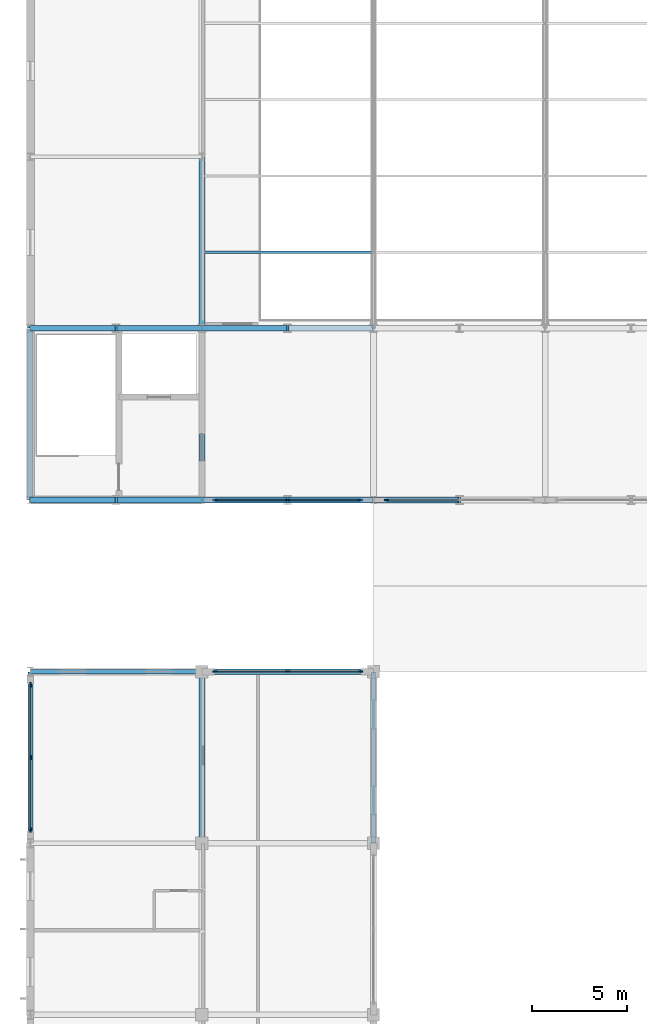
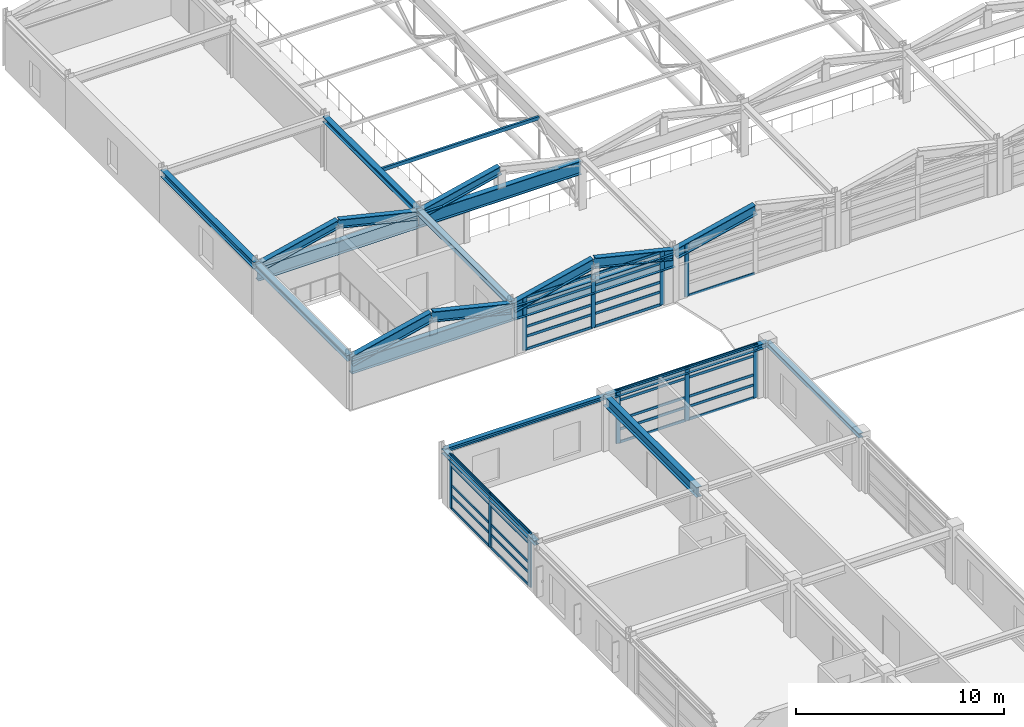
# One storey, part 23 of 91: 42 members, 21 beams, 4 elements without a shape of their own.
"""IFC4 building model written with IfcOpenShell, lengths in metres."""

from ifc_helpers import new_model, si_unit, direction, frame, origin, origin_2d, place, context, subcontext, project, spatial, rectangle, hollow_rectangle, i_section, extrude, material, material_profile, profile_set, type_object, element, aggregate, save


model = new_model("IFC4")

# Units and contexts
model_context = context("Model", 3, precision=1e-05, world=origin(), true_north=direction((0.0, 1.0)))
body_context = subcontext(model_context, "Body", "Model", "MODEL_VIEW")
ifc_project = project(units=[si_unit("LENGTHUNIT", "METRE"), si_unit("AREAUNIT", "SQUARE_METRE"), si_unit("VOLUMEUNIT", "CUBIC_METRE"), si_unit("PLANEANGLEUNIT", "RADIAN"), si_unit("MASSUNIT", "GRAM", prefix="KILO")], contexts=[model_context])

# Site, building, storey
site_placement = place(None, origin())
site = spatial("IfcSite", under=ifc_project, at=site_placement, CompositionType="ELEMENT")
building_placement = place(site_placement, origin())
building = spatial("IfcBuilding", under=site, at=building_placement, Name="Palais des Congres Ocreval", CompositionType="ELEMENT")
storey_placement = place(building_placement, frame((0.0, 0.0, 8.159912109375)))
storey = spatial("IfcBuildingStorey", under=building, at=storey_placement, Name="L02", CompositionType="ELEMENT", Elevation=8.159912109375)

# Curtain wall, members
ifc_material_1 = material(Name="Anodized bronze aluminium and low-E glass", Category="glass")
curtain_wall_type = type_object("IfcCurtainWallType", Name="Unitised Curtain Wall 7900x3120", PredefinedType="USERDEFINED", material=ifc_material_1)
curtain_wall_1_placement = place(storey_placement, origin())
curtain_wall_1 = element("IfcCurtainWall", 1, at=curtain_wall_1_placement, inside=storey, type_object=curtain_wall_type, Name="Unitised Curtain Wall CW03 L02", ObjectType="UNITISED CURTAIN WALL", PredefinedType="USERDEFINED")
ifc_material_2 = material(Name="Anodized bronze aluminium", Category="aluminium")
ifc_material_profile_1 = material_profile(ifc_material_2, rectangle(XDim=0.074951171875, YDim=0.239990234375, at=origin_2d()), Name="ALU 75x240")
ifc_profile_set_1 = profile_set([ifc_material_profile_1], Name="Anodized bronze aluminium")
member_type_1 = type_object("IfcMemberType", Name="Curtain Wall Mullion ALU 75x240", PredefinedType="MULLION", material=ifc_profile_set_1)
member_1_placement = place(storey_placement, frame((0.0, 63.6875, 0.0), z_axis=(0.0, 0.0, 1.0), x_axis=(-1.0, 0.0, 0.0)))
member_1 = element("IfcMember", 2, at=member_1_placement, type_object=member_type_1, Name="Curtain Wall Mullion ML01", PredefinedType="MULLION", context=body_context, shape_type="SweptSolid", body=[
    extrude(rectangle(XDim=0.074951171875, YDim=0.239990234375, at=origin_2d()), origin(), (0.0, 0.0, 1.0), 3.14013671875),
])
member_2_placement = place(storey_placement, frame((0.0, 67.5, 0.0), z_axis=(0.0, 0.0, 1.0), x_axis=(-1.0, 0.0, 0.0)))
member_2 = element("IfcMember", 3, at=member_2_placement, type_object=member_type_1, Name="Curtain Wall Mullion ML01", PredefinedType="MULLION", context=body_context, shape_type="SweptSolid", body=[
    extrude(rectangle(XDim=0.074951171875, YDim=0.239990234375, at=origin_2d()), origin(), (0.0, 0.0, 1.0), 3.14013671875),
])
member_3_placement = place(storey_placement, frame((0.0, 71.3125, 0.0), z_axis=(0.0, 0.0, 1.0), x_axis=(-1.0, 0.0, 0.0)))
member_3 = element("IfcMember", 4, at=member_3_placement, type_object=member_type_1, Name="Curtain Wall Mullion ML01", PredefinedType="MULLION", context=body_context, shape_type="SweptSolid", body=[
    extrude(rectangle(XDim=0.074951171875, YDim=0.239990234375, at=origin_2d()), origin(), (0.0, 0.0, 1.0), 3.14013671875),
])

curtain_wall_2_placement = place(storey_placement, origin())
curtain_wall_2 = element("IfcCurtainWall", 5, at=curtain_wall_2_placement, inside=storey, type_object=curtain_wall_type, Name="Unitised Curtain Wall CW03 L02", ObjectType="UNITISED CURTAIN WALL", PredefinedType="USERDEFINED")
member_4_placement = place(storey_placement, frame((9.6875, 72.0, 0.0), z_axis=(0.0, 0.0, 1.0), x_axis=(0.0, 1.0, 0.0)))
member_4 = element("IfcMember", 6, at=member_4_placement, type_object=member_type_1, Name="Curtain Wall Mullion ML01", PredefinedType="MULLION", context=body_context, shape_type="SweptSolid", body=[
    extrude(rectangle(XDim=0.074951171875, YDim=0.239990234375, at=origin_2d()), origin(), (0.0, 0.0, 1.0), 3.14013671875),
])
member_5_placement = place(storey_placement, frame((13.5, 72.0, 0.0), z_axis=(0.0, 0.0, 1.0), x_axis=(0.0, 1.0, 0.0)))
member_5 = element("IfcMember", 7, at=member_5_placement, type_object=member_type_1, Name="Curtain Wall Mullion ML01", PredefinedType="MULLION", context=body_context, shape_type="SweptSolid", body=[
    extrude(rectangle(XDim=0.074951171875, YDim=0.239990234375, at=origin_2d()), origin(), (0.0, 0.0, 1.0), 3.14013671875),
])
member_6_placement = place(storey_placement, frame((17.3125, 72.0, 0.0), z_axis=(0.0, 0.0, 1.0), x_axis=(0.0, 1.0, 0.0)))
member_6 = element("IfcMember", 8, at=member_6_placement, type_object=member_type_1, Name="Curtain Wall Mullion ML01", PredefinedType="MULLION", context=body_context, shape_type="SweptSolid", body=[
    extrude(rectangle(XDim=0.074951171875, YDim=0.239990234375, at=origin_2d()), origin(), (0.0, 0.0, 1.0), 3.14013671875),
])

# Curtain wall, member
curtain_wall_3_placement = place(storey_placement, origin())
curtain_wall_3 = element("IfcCurtainWall", 9, at=curtain_wall_3_placement, inside=storey, type_object=curtain_wall_type, Name="Unitised Curtain Wall CW03 L02", ObjectType="UNITISED CURTAIN WALL", PredefinedType="USERDEFINED")
member_7_placement = place(storey_placement, frame((18.6875, 81.0, 0.0), z_axis=(0.0, 0.0, 1.0), x_axis=(0.0, -1.0, 0.0)))
member_7 = element("IfcMember", 10, at=member_7_placement, type_object=member_type_1, Name="Curtain Wall Mullion ML01", PredefinedType="MULLION", context=body_context, shape_type="SweptSolid", body=[
    extrude(rectangle(XDim=0.074951171875, YDim=0.239990234375, at=origin_2d()), origin(), (0.0, 0.0, 1.0), 3.110107421875),
])

# Curtain wall, members
curtain_wall_4_placement = place(storey_placement, origin())
curtain_wall_4 = element("IfcCurtainWall", 11, at=curtain_wall_4_placement, inside=storey, type_object=curtain_wall_type, Name="Unitised Curtain Wall CW03 L02", ObjectType="UNITISED CURTAIN WALL", PredefinedType="USERDEFINED")
member_8_placement = place(storey_placement, frame((17.3125, 81.0, 0.0), z_axis=(0.0, 0.0, 1.0), x_axis=(0.0, -1.0, 0.0)))
member_8 = element("IfcMember", 12, at=member_8_placement, type_object=member_type_1, Name="Curtain Wall Mullion ML01", PredefinedType="MULLION", context=body_context, shape_type="SweptSolid", body=[
    extrude(rectangle(XDim=0.074951171875, YDim=0.239990234375, at=origin_2d()), origin(), (0.0, 0.0, 1.0), 3.110107421875),
])
member_9_placement = place(storey_placement, frame((13.5, 81.0, 0.0), z_axis=(0.0, 0.0, 1.0), x_axis=(0.0, -1.0, 0.0)))
member_9 = element("IfcMember", 13, at=member_9_placement, type_object=member_type_1, Name="Curtain Wall Mullion ML01", PredefinedType="MULLION", context=body_context, shape_type="SweptSolid", body=[
    extrude(rectangle(XDim=0.074951171875, YDim=0.239990234375, at=origin_2d()), origin(), (0.0, 0.0, 1.0), 3.110107421875),
])
member_10_placement = place(storey_placement, frame((9.6875, 81.0, 0.0), z_axis=(0.0, 0.0, 1.0), x_axis=(0.0, -1.0, 0.0)))
member_10 = element("IfcMember", 14, at=member_10_placement, type_object=member_type_1, Name="Curtain Wall Mullion ML01", PredefinedType="MULLION", context=body_context, shape_type="SweptSolid", body=[
    extrude(rectangle(XDim=0.074951171875, YDim=0.239990234375, at=origin_2d()), origin(), (0.0, 0.0, 1.0), 3.110107421875),
])

# Member
ifc_material_profile_2 = material_profile(ifc_material_2, rectangle(XDim=0.06005859375, YDim=0.14990234375, at=origin_2d()), Name="ALU 60x150")
ifc_profile_set_2 = profile_set([ifc_material_profile_2], Name="Anodized bronze aluminium")
member_type_2 = type_object("IfcMemberType", Name="Curtain Wall Transom ALU 60x150", PredefinedType="USERDEFINED", material=ifc_profile_set_2)
member_11_placement = place(storey_placement, frame((0.0, 63.72509765625, 0.030029296875), z_axis=(0.0, 1.0, 0.0), x_axis=(-1.0, 0.0, 0.0)))
member_11 = element("IfcMember", 15, at=member_11_placement, type_object=member_type_2, Name="Curtain Wall Transom TR01", ObjectType="TRANSOM", PredefinedType="USERDEFINED", context=body_context, shape_type="SweptSolid", body=[
    extrude(rectangle(XDim=0.06005859375, YDim=0.14990234375, at=origin_2d()), origin(), (0.0, 0.0, 1.0), 3.7373046875),
])

member_12_placement = place(storey_placement, frame((0.0, 63.72509765625, 0.780029296875), z_axis=(0.0, 1.0, 0.0), x_axis=(-1.0, 0.0, 0.0)))
member_12 = element("IfcMember", 16, at=member_12_placement, type_object=member_type_2, Name="Curtain Wall Transom TR01", ObjectType="TRANSOM", PredefinedType="USERDEFINED", context=body_context, shape_type="SweptSolid", body=[
    extrude(rectangle(XDim=0.06005859375, YDim=0.14990234375, at=origin_2d()), origin(), (0.0, 0.0, 1.0), 3.7373046875),
])

member_13_placement = place(storey_placement, frame((0.0, 63.72509765625, 1.36962890625), z_axis=(0.0, 1.0, 0.0), x_axis=(-1.0, 0.0, 0.0)))
member_13 = element("IfcMember", 17, at=member_13_placement, type_object=member_type_2, Name="Curtain Wall Transom TR01", ObjectType="TRANSOM", PredefinedType="USERDEFINED", context=body_context, shape_type="SweptSolid", body=[
    extrude(rectangle(XDim=0.06005859375, YDim=0.14990234375, at=origin_2d()), origin(), (0.0, 0.0, 1.0), 3.7373046875),
])

member_14_placement = place(storey_placement, frame((0.0, 63.72509765625, 2.489990234375), z_axis=(0.0, 1.0, 0.0), x_axis=(-1.0, 0.0, 0.0)))
member_14 = element("IfcMember", 18, at=member_14_placement, type_object=member_type_2, Name="Curtain Wall Transom TR01", ObjectType="TRANSOM", PredefinedType="USERDEFINED", context=body_context, shape_type="SweptSolid", body=[
    extrude(rectangle(XDim=0.06005859375, YDim=0.14990234375, at=origin_2d()), origin(), (0.0, 0.0, 1.0), 3.7373046875),
])

member_15_placement = place(storey_placement, frame((0.0, 63.72509765625, 3.110107421875), z_axis=(0.0, 1.0, 0.0), x_axis=(-1.0, 0.0, 0.0)))
member_15 = element("IfcMember", 19, at=member_15_placement, type_object=member_type_2, Name="Curtain Wall Transom TR01", ObjectType="TRANSOM", PredefinedType="USERDEFINED", context=body_context, shape_type="SweptSolid", body=[
    extrude(rectangle(XDim=0.06005859375, YDim=0.14990234375, at=origin_2d()), origin(), (0.0, 0.0, 1.0), 3.7373046875),
])

member_16_placement = place(storey_placement, frame((0.0, 67.53759765625, 0.030029296875), z_axis=(0.0, 1.0, 0.0), x_axis=(-1.0, 0.0, 0.0)))
member_16 = element("IfcMember", 20, at=member_16_placement, type_object=member_type_2, Name="Curtain Wall Transom TR01", ObjectType="TRANSOM", PredefinedType="USERDEFINED", context=body_context, shape_type="SweptSolid", body=[
    extrude(rectangle(XDim=0.06005859375, YDim=0.14990234375, at=origin_2d()), origin(), (0.0, 0.0, 1.0), 3.7373046875),
])

member_17_placement = place(storey_placement, frame((0.0, 67.53759765625, 0.780029296875), z_axis=(0.0, 1.0, 0.0), x_axis=(-1.0, 0.0, 0.0)))
member_17 = element("IfcMember", 21, at=member_17_placement, type_object=member_type_2, Name="Curtain Wall Transom TR01", ObjectType="TRANSOM", PredefinedType="USERDEFINED", context=body_context, shape_type="SweptSolid", body=[
    extrude(rectangle(XDim=0.06005859375, YDim=0.14990234375, at=origin_2d()), origin(), (0.0, 0.0, 1.0), 3.7373046875),
])

member_18_placement = place(storey_placement, frame((0.0, 67.53759765625, 1.36962890625), z_axis=(0.0, 1.0, 0.0), x_axis=(-1.0, 0.0, 0.0)))
member_18 = element("IfcMember", 22, at=member_18_placement, type_object=member_type_2, Name="Curtain Wall Transom TR01", ObjectType="TRANSOM", PredefinedType="USERDEFINED", context=body_context, shape_type="SweptSolid", body=[
    extrude(rectangle(XDim=0.06005859375, YDim=0.14990234375, at=origin_2d()), origin(), (0.0, 0.0, 1.0), 3.7373046875),
])

member_19_placement = place(storey_placement, frame((0.0, 67.53759765625, 2.489990234375), z_axis=(0.0, 1.0, 0.0), x_axis=(-1.0, 0.0, 0.0)))
member_19 = element("IfcMember", 23, at=member_19_placement, type_object=member_type_2, Name="Curtain Wall Transom TR01", ObjectType="TRANSOM", PredefinedType="USERDEFINED", context=body_context, shape_type="SweptSolid", body=[
    extrude(rectangle(XDim=0.06005859375, YDim=0.14990234375, at=origin_2d()), origin(), (0.0, 0.0, 1.0), 3.7373046875),
])

member_20_placement = place(storey_placement, frame((0.0, 67.53759765625, 3.110107421875), z_axis=(0.0, 1.0, 0.0), x_axis=(-1.0, 0.0, 0.0)))
member_20 = element("IfcMember", 24, at=member_20_placement, type_object=member_type_2, Name="Curtain Wall Transom TR01", ObjectType="TRANSOM", PredefinedType="USERDEFINED", context=body_context, shape_type="SweptSolid", body=[
    extrude(rectangle(XDim=0.06005859375, YDim=0.14990234375, at=origin_2d()), origin(), (0.0, 0.0, 1.0), 3.7373046875),
])

aggregate(curtain_wall_1, [member_1, member_2, member_3, member_11, member_12, member_13, member_14, member_15, member_16, member_17, member_18, member_19, member_20])

member_21_placement = place(storey_placement, frame((9.72509765625, 72.0, 0.030029296875), z_axis=(1.0, 0.0, 0.0), x_axis=(0.0, 1.0, 0.0)))
member_21 = element("IfcMember", 25, at=member_21_placement, type_object=member_type_2, Name="Curtain Wall Transom TR01", ObjectType="TRANSOM", PredefinedType="USERDEFINED", context=body_context, shape_type="SweptSolid", body=[
    extrude(rectangle(XDim=0.06005859375, YDim=0.14990234375, at=origin_2d()), origin(), (0.0, 0.0, 1.0), 3.7373046875),
])

member_22_placement = place(storey_placement, frame((9.72509765625, 72.0, 0.780029296875), z_axis=(1.0, 0.0, 0.0), x_axis=(0.0, 1.0, 0.0)))
member_22 = element("IfcMember", 26, at=member_22_placement, type_object=member_type_2, Name="Curtain Wall Transom TR01", ObjectType="TRANSOM", PredefinedType="USERDEFINED", context=body_context, shape_type="SweptSolid", body=[
    extrude(rectangle(XDim=0.06005859375, YDim=0.14990234375, at=origin_2d()), origin(), (0.0, 0.0, 1.0), 3.7373046875),
])

member_23_placement = place(storey_placement, frame((9.72509765625, 72.0, 1.36962890625), z_axis=(1.0, 0.0, 0.0), x_axis=(0.0, 1.0, 0.0)))
member_23 = element("IfcMember", 27, at=member_23_placement, type_object=member_type_2, Name="Curtain Wall Transom TR01", ObjectType="TRANSOM", PredefinedType="USERDEFINED", context=body_context, shape_type="SweptSolid", body=[
    extrude(rectangle(XDim=0.06005859375, YDim=0.14990234375, at=origin_2d()), origin(), (0.0, 0.0, 1.0), 3.7373046875),
])

member_24_placement = place(storey_placement, frame((9.72509765625, 72.0, 2.489990234375), z_axis=(1.0, 0.0, 0.0), x_axis=(0.0, 1.0, 0.0)))
member_24 = element("IfcMember", 28, at=member_24_placement, type_object=member_type_2, Name="Curtain Wall Transom TR01", ObjectType="TRANSOM", PredefinedType="USERDEFINED", context=body_context, shape_type="SweptSolid", body=[
    extrude(rectangle(XDim=0.06005859375, YDim=0.14990234375, at=origin_2d()), origin(), (0.0, 0.0, 1.0), 3.7373046875),
])

member_25_placement = place(storey_placement, frame((9.72509765625, 72.0, 3.110107421875), z_axis=(1.0, 0.0, 0.0), x_axis=(0.0, 1.0, 0.0)))
member_25 = element("IfcMember", 29, at=member_25_placement, type_object=member_type_2, Name="Curtain Wall Transom TR01", ObjectType="TRANSOM", PredefinedType="USERDEFINED", context=body_context, shape_type="SweptSolid", body=[
    extrude(rectangle(XDim=0.06005859375, YDim=0.14990234375, at=origin_2d()), origin(), (0.0, 0.0, 1.0), 3.7373046875),
])

member_26_placement = place(storey_placement, frame((13.53759765625, 72.0, 0.030029296875), z_axis=(1.0, 0.0, 0.0), x_axis=(0.0, 1.0, 0.0)))
member_26 = element("IfcMember", 30, at=member_26_placement, type_object=member_type_2, Name="Curtain Wall Transom TR01", ObjectType="TRANSOM", PredefinedType="USERDEFINED", context=body_context, shape_type="SweptSolid", body=[
    extrude(rectangle(XDim=0.06005859375, YDim=0.14990234375, at=origin_2d()), origin(), (0.0, 0.0, 1.0), 3.7373046875),
])

member_27_placement = place(storey_placement, frame((13.53759765625, 72.0, 0.780029296875), z_axis=(1.0, 0.0, 0.0), x_axis=(0.0, 1.0, 0.0)))
member_27 = element("IfcMember", 31, at=member_27_placement, type_object=member_type_2, Name="Curtain Wall Transom TR01", ObjectType="TRANSOM", PredefinedType="USERDEFINED", context=body_context, shape_type="SweptSolid", body=[
    extrude(rectangle(XDim=0.06005859375, YDim=0.14990234375, at=origin_2d()), origin(), (0.0, 0.0, 1.0), 3.7373046875),
])

member_28_placement = place(storey_placement, frame((13.53759765625, 72.0, 1.36962890625), z_axis=(1.0, 0.0, 0.0), x_axis=(0.0, 1.0, 0.0)))
member_28 = element("IfcMember", 32, at=member_28_placement, type_object=member_type_2, Name="Curtain Wall Transom TR01", ObjectType="TRANSOM", PredefinedType="USERDEFINED", context=body_context, shape_type="SweptSolid", body=[
    extrude(rectangle(XDim=0.06005859375, YDim=0.14990234375, at=origin_2d()), origin(), (0.0, 0.0, 1.0), 3.7373046875),
])

member_29_placement = place(storey_placement, frame((13.53759765625, 72.0, 2.489990234375), z_axis=(1.0, 0.0, 0.0), x_axis=(0.0, 1.0, 0.0)))
member_29 = element("IfcMember", 33, at=member_29_placement, type_object=member_type_2, Name="Curtain Wall Transom TR01", ObjectType="TRANSOM", PredefinedType="USERDEFINED", context=body_context, shape_type="SweptSolid", body=[
    extrude(rectangle(XDim=0.06005859375, YDim=0.14990234375, at=origin_2d()), origin(), (0.0, 0.0, 1.0), 3.7373046875),
])

member_30_placement = place(storey_placement, frame((13.53759765625, 72.0, 3.110107421875), z_axis=(1.0, 0.0, 0.0), x_axis=(0.0, 1.0, 0.0)))
member_30 = element("IfcMember", 34, at=member_30_placement, type_object=member_type_2, Name="Curtain Wall Transom TR01", ObjectType="TRANSOM", PredefinedType="USERDEFINED", context=body_context, shape_type="SweptSolid", body=[
    extrude(rectangle(XDim=0.06005859375, YDim=0.14990234375, at=origin_2d()), origin(), (0.0, 0.0, 1.0), 3.7373046875),
])

aggregate(curtain_wall_2, [member_4, member_5, member_6, member_21, member_22, member_23, member_24, member_25, member_26, member_27, member_28, member_29, member_30])

member_31_placement = place(storey_placement, frame((22.46240234375, 81.0, 0.030029296875), z_axis=(-1.0, 0.0, 0.0), x_axis=(0.0, -1.0, 0.0)))
member_31 = element("IfcMember", 35, at=member_31_placement, type_object=member_type_2, Name="Curtain Wall Transom TR01", ObjectType="TRANSOM", PredefinedType="USERDEFINED", context=body_context, shape_type="SweptSolid", body=[
    extrude(rectangle(XDim=0.06005859375, YDim=0.14990234375, at=origin_2d()), origin(), (0.0, 0.0, 1.0), 3.7373046875),
])

aggregate(curtain_wall_3, [member_7, member_31])

member_32_placement = place(storey_placement, frame((17.27490234375, 81.0, 0.030029296875), z_axis=(-1.0, 0.0, 0.0), x_axis=(0.0, -1.0, 0.0)))
member_32 = element("IfcMember", 36, at=member_32_placement, type_object=member_type_2, Name="Curtain Wall Transom TR01", ObjectType="TRANSOM", PredefinedType="USERDEFINED", context=body_context, shape_type="SweptSolid", body=[
    extrude(rectangle(XDim=0.06005859375, YDim=0.14990234375, at=origin_2d()), origin(), (0.0, 0.0, 1.0), 3.7373046875),
])

member_33_placement = place(storey_placement, frame((17.27490234375, 81.0, 0.780029296875), z_axis=(-1.0, 0.0, 0.0), x_axis=(0.0, -1.0, 0.0)))
member_33 = element("IfcMember", 37, at=member_33_placement, type_object=member_type_2, Name="Curtain Wall Transom TR01", ObjectType="TRANSOM", PredefinedType="USERDEFINED", context=body_context, shape_type="SweptSolid", body=[
    extrude(rectangle(XDim=0.06005859375, YDim=0.14990234375, at=origin_2d()), origin(), (0.0, 0.0, 1.0), 3.7373046875),
])

member_34_placement = place(storey_placement, frame((17.27490234375, 81.0, 1.35302734375), z_axis=(-1.0, 0.0, 0.0), x_axis=(0.0, -1.0, 0.0)))
member_34 = element("IfcMember", 38, at=member_34_placement, type_object=member_type_2, Name="Curtain Wall Transom TR01", ObjectType="TRANSOM", PredefinedType="USERDEFINED", context=body_context, shape_type="SweptSolid", body=[
    extrude(rectangle(XDim=0.06005859375, YDim=0.14990234375, at=origin_2d()), origin(), (0.0, 0.0, 1.0), 3.7373046875),
])

member_35_placement = place(storey_placement, frame((17.27490234375, 81.0, 2.460205078125), z_axis=(-1.0, 0.0, 0.0), x_axis=(0.0, -1.0, 0.0)))
member_35 = element("IfcMember", 39, at=member_35_placement, type_object=member_type_2, Name="Curtain Wall Transom TR01", ObjectType="TRANSOM", PredefinedType="USERDEFINED", context=body_context, shape_type="SweptSolid", body=[
    extrude(rectangle(XDim=0.06005859375, YDim=0.14990234375, at=origin_2d()), origin(), (0.0, 0.0, 1.0), 3.7373046875),
])

member_36_placement = place(storey_placement, frame((17.27490234375, 81.0, 3.080078125), z_axis=(-1.0, 0.0, 0.0), x_axis=(0.0, -1.0, 0.0)))
member_36 = element("IfcMember", 40, at=member_36_placement, type_object=member_type_2, Name="Curtain Wall Transom TR01", ObjectType="TRANSOM", PredefinedType="USERDEFINED", context=body_context, shape_type="SweptSolid", body=[
    extrude(rectangle(XDim=0.06005859375, YDim=0.14990234375, at=origin_2d()), origin(), (0.0, 0.0, 1.0), 3.7373046875),
])

member_37_placement = place(storey_placement, frame((13.46240234375, 81.0, 0.030029296875), z_axis=(-1.0, 0.0, 0.0), x_axis=(0.0, -1.0, 0.0)))
member_37 = element("IfcMember", 41, at=member_37_placement, type_object=member_type_2, Name="Curtain Wall Transom TR01", ObjectType="TRANSOM", PredefinedType="USERDEFINED", context=body_context, shape_type="SweptSolid", body=[
    extrude(rectangle(XDim=0.06005859375, YDim=0.14990234375, at=origin_2d()), origin(), (0.0, 0.0, 1.0), 3.7373046875),
])

member_38_placement = place(storey_placement, frame((13.46240234375, 81.0, 0.780029296875), z_axis=(-1.0, 0.0, 0.0), x_axis=(0.0, -1.0, 0.0)))
member_38 = element("IfcMember", 42, at=member_38_placement, type_object=member_type_2, Name="Curtain Wall Transom TR01", ObjectType="TRANSOM", PredefinedType="USERDEFINED", context=body_context, shape_type="SweptSolid", body=[
    extrude(rectangle(XDim=0.06005859375, YDim=0.14990234375, at=origin_2d()), origin(), (0.0, 0.0, 1.0), 3.7373046875),
])

member_39_placement = place(storey_placement, frame((13.46240234375, 81.0, 1.35302734375), z_axis=(-1.0, 0.0, 0.0), x_axis=(0.0, -1.0, 0.0)))
member_39 = element("IfcMember", 43, at=member_39_placement, type_object=member_type_2, Name="Curtain Wall Transom TR01", ObjectType="TRANSOM", PredefinedType="USERDEFINED", context=body_context, shape_type="SweptSolid", body=[
    extrude(rectangle(XDim=0.06005859375, YDim=0.14990234375, at=origin_2d()), origin(), (0.0, 0.0, 1.0), 3.7373046875),
])

member_40_placement = place(storey_placement, frame((13.46240234375, 81.0, 2.460205078125), z_axis=(-1.0, 0.0, 0.0), x_axis=(0.0, -1.0, 0.0)))
member_40 = element("IfcMember", 44, at=member_40_placement, type_object=member_type_2, Name="Curtain Wall Transom TR01", ObjectType="TRANSOM", PredefinedType="USERDEFINED", context=body_context, shape_type="SweptSolid", body=[
    extrude(rectangle(XDim=0.06005859375, YDim=0.14990234375, at=origin_2d()), origin(), (0.0, 0.0, 1.0), 3.7373046875),
])

member_41_placement = place(storey_placement, frame((13.46240234375, 81.0, 3.080078125), z_axis=(-1.0, 0.0, 0.0), x_axis=(0.0, -1.0, 0.0)))
member_41 = element("IfcMember", 45, at=member_41_placement, type_object=member_type_2, Name="Curtain Wall Transom TR01", ObjectType="TRANSOM", PredefinedType="USERDEFINED", context=body_context, shape_type="SweptSolid", body=[
    extrude(rectangle(XDim=0.06005859375, YDim=0.14990234375, at=origin_2d()), origin(), (0.0, 0.0, 1.0), 3.7373046875),
])

aggregate(curtain_wall_4, [member_8, member_9, member_10, member_32, member_33, member_34, member_35, member_36, member_37, member_38, member_39, member_40, member_41])

# Beams
ifc_material_3 = material(Name="Steel S355", Category="steel")
ifc_material_profile_3 = material_profile(ifc_material_3, i_section(OverallWidth=0.300048828125, OverallDepth=0.7900390625, WebThickness=0.014892578125, FlangeThickness=0.028076171875, at=origin_2d()), Name="HEA 800")
ifc_profile_set_3 = profile_set([ifc_material_profile_3], Name="Steel S355")
beam_type_1 = type_object("IfcBeamType", Name="Long-Span Girder HEA 800 Steel S355", PredefinedType="BEAM", material=ifc_profile_set_3)
for number, where, z_axis, x_axis, name in (
    (46, (0.02001953125, 81.0, 2.43017578125), (1.0, 0.0, 0.0), (0.0, 1.0, 0.0), "Beam B15 L02"),
    (47, (0.02001953125, 90.0, 2.43017578125), (1.0, 0.0, 0.0), (0.0, 1.0, 0.0), "Beam B15 L02"),
    (48, (9.02001953125, 81.0, 2.43017578125), (1.0, 0.0, 0.0), (0.0, 1.0, 0.0), "Beam B15 L02"),
    (49, (9.02001953125, 90.0, 2.43017578125), (1.0, 0.0, 0.0), (0.0, 1.0, 0.0), "Beam B15 L02"),
):
    element("IfcBeam", number, at=place(storey_placement, frame(where, z_axis=z_axis, x_axis=x_axis)), inside=storey, type_object=beam_type_1, Name=name, PredefinedType="BEAM", context=body_context, shape_type="SweptSolid", body=[
        extrude(i_section(OverallWidth=0.300048828125, OverallDepth=0.7900390625, WebThickness=0.014892578125, FlangeThickness=0.028076171875, at=origin_2d()), origin(), (0.0, 0.0, 1.0), 8.9599609375),
    ])
ifc_material_profile_4 = material_profile(ifc_material_3, i_section(OverallWidth=0.260009765625, OverallDepth=0.260009765625, WebThickness=0.010009765625, FlangeThickness=0.017578125, at=origin_2d()), Name="HEB 260")
ifc_profile_set_4 = profile_set([ifc_material_profile_4], Name="Steel S355")
beam_type_2 = type_object("IfcBeamType", Name="Opening Lintel HEB 260 Steel S355", PredefinedType="LINTEL", material=ifc_profile_set_4)
for number, where, z_axis, x_axis, name in (
    (50, (0.0, 63.02001953125, 2.969970703125), (0.0, 1.0, 0.0), (-1.0, 0.0, 0.0), "Girder LN01 L02"),
    (51, (18.0, 63.02001953125, 2.969970703125), (0.0, 1.0, 0.0), (-1.0, 0.0, 0.0), "Girder LN01 L02"),
):
    element("IfcBeam", number, at=place(storey_placement, frame(where, z_axis=z_axis, x_axis=x_axis)), inside=storey, type_object=beam_type_2, Name=name, PredefinedType="LINTEL", context=body_context, shape_type="SweptSolid", body=[
        extrude(i_section(OverallWidth=0.260009765625, OverallDepth=0.260009765625, WebThickness=0.010009765625, FlangeThickness=0.017578125, at=origin_2d()), origin(), (0.0, 0.0, 1.0), 8.9599609375),
    ])
ifc_material_profile_5 = material_profile(ifc_material_3, i_section(OverallWidth=0.239990234375, OverallDepth=0.22998046875, WebThickness=0.007568359375, FlangeThickness=0.011962890625, at=origin_2d()), Name="HEA 240")
ifc_profile_set_5 = profile_set([ifc_material_profile_5], Name="Steel S355")
beam_type_3 = type_object("IfcBeamType", Name="Perimeter Spandrel HEA 240 Steel S355", PredefinedType="SPANDREL", material=ifc_profile_set_5)
beam_1_placement = place(storey_placement, frame((0.02001953125, 72.0, 2.985107421875), z_axis=(1.0, 0.0, 0.0), x_axis=(0.0, 1.0, 0.0)))
element("IfcBeam", 52, at=beam_1_placement, inside=storey, type_object=beam_type_3, Name="Beam SP01 L02", PredefinedType="SPANDREL", context=body_context, shape_type="SweptSolid", body=[
    extrude(i_section(OverallWidth=0.239990234375, OverallDepth=0.22998046875, WebThickness=0.007568359375, FlangeThickness=0.011962890625, at=origin_2d()), origin(), (0.0, 0.0, 1.0), 8.9599609375),
])
ifc_material_profile_6 = material_profile(ifc_material_3, i_section(OverallWidth=0.300048828125, OverallDepth=0.300048828125, WebThickness=0.010986328125, FlangeThickness=0.01904296875, at=origin_2d()), Name="HEB 300")
ifc_profile_set_6 = profile_set([ifc_material_profile_6], Name="Steel S355")
beam_type_4 = type_object("IfcBeamType", Name="Perimeter Spandrel HEB 300 Steel S355", PredefinedType="SPANDREL", material=ifc_profile_set_6)
beam_2_placement = place(storey_placement, frame((9.02001953125, 72.0, 2.9501953125), z_axis=(1.0, 0.0, 0.0), x_axis=(0.0, 1.0, 0.0)))
element("IfcBeam", 53, at=beam_2_placement, inside=storey, type_object=beam_type_4, Name="Beam SP02 L02", PredefinedType="SPANDREL", context=body_context, shape_type="SweptSolid", body=[
    extrude(i_section(OverallWidth=0.300048828125, OverallDepth=0.300048828125, WebThickness=0.010986328125, FlangeThickness=0.01904296875, at=origin_2d()), origin(), (0.0, 0.0, 1.0), 8.9599609375),
])
ifc_material_profile_7 = material_profile(ifc_material_3, i_section(OverallWidth=0.300048828125, OverallDepth=0.360107421875, WebThickness=0.012451171875, FlangeThickness=0.0224609375, at=origin_2d()), Name="HEB 360")
ifc_profile_set_7 = profile_set([ifc_material_profile_7], Name="Steel S355")
beam_type_5 = type_object("IfcBeamType", Name="Perimeter Spandrel HEB 360 Steel S355", PredefinedType="SPANDREL", material=ifc_profile_set_7)
beam_3_placement = place(storey_placement, frame((0.0, 81.02001953125, 2.920166015625), z_axis=(0.0, 1.0, 0.0), x_axis=(-1.0, 0.0, 0.0)))
element("IfcBeam", 54, at=beam_3_placement, inside=storey, type_object=beam_type_5, Name="Girder SP03 L02", PredefinedType="SPANDREL", context=body_context, shape_type="SweptSolid", body=[
    extrude(i_section(OverallWidth=0.300048828125, OverallDepth=0.360107421875, WebThickness=0.012451171875, FlangeThickness=0.0224609375, at=origin_2d()), origin(), (0.0, 0.0, 1.0), 8.9599609375),
])
ifc_material_profile_8 = material_profile(ifc_material_3, i_section(OverallWidth=0.300048828125, OverallDepth=0.39990234375, WebThickness=0.013427734375, FlangeThickness=0.02392578125, at=origin_2d()), Name="HEB 400")
ifc_profile_set_8 = profile_set([ifc_material_profile_8], Name="Steel S355")
beam_type_6 = type_object("IfcBeamType", Name="Perimeter Spandrel HEB 400 Steel S355", PredefinedType="SPANDREL", material=ifc_profile_set_8)
beam_4_placement = place(storey_placement, frame((0.0, 90.02001953125, 2.900146484375), z_axis=(0.0, 1.0, 0.0), x_axis=(-1.0, 0.0, 0.0)))
element("IfcBeam", 55, at=beam_4_placement, inside=storey, type_object=beam_type_6, Name="Girder SP04 L02", PredefinedType="SPANDREL", context=body_context, shape_type="SweptSolid", body=[
    extrude(i_section(OverallWidth=0.300048828125, OverallDepth=0.39990234375, WebThickness=0.013427734375, FlangeThickness=0.02392578125, at=origin_2d()), origin(), (0.0, 0.0, 1.0), 8.9599609375),
])
ifc_material_profile_9 = material_profile(ifc_material_3, i_section(OverallWidth=0.300048828125, OverallDepth=0.2900390625, WebThickness=0.008544921875, FlangeThickness=0.013916015625, at=origin_2d()), Name="HEA 300")
ifc_profile_set_9 = profile_set([ifc_material_profile_9], Name="Steel S355")
beam_type_7 = type_object("IfcBeamType", Name="Primary Beam HEA 300 Steel S355", PredefinedType="BEAM", material=ifc_profile_set_9)
beam_5_placement = place(storey_placement, frame((9.0, 81.02001953125, 2.955078125), z_axis=(0.0, 1.0, 0.0), x_axis=(-1.0, 0.0, 0.0)))
element("IfcBeam", 56, at=beam_5_placement, inside=storey, type_object=beam_type_7, Name="Girder B08 L02", PredefinedType="BEAM", context=body_context, shape_type="SweptSolid", body=[
    extrude(i_section(OverallWidth=0.300048828125, OverallDepth=0.2900390625, WebThickness=0.008544921875, FlangeThickness=0.013916015625, at=origin_2d()), origin(), (0.0, 0.0, 1.0), 8.9599609375),
])
ifc_material_profile_10 = material_profile(ifc_material_3, i_section(OverallWidth=0.300048828125, OverallDepth=0.330078125, WebThickness=0.009521484375, FlangeThickness=0.0166015625, at=origin_2d()), Name="HEA 340")
ifc_profile_set_10 = profile_set([ifc_material_profile_10], Name="Steel S355")
beam_type_8 = type_object("IfcBeamType", Name="Primary Beam HEA 340 Steel S355", PredefinedType="BEAM", material=ifc_profile_set_10)
beam_6_placement = place(storey_placement, frame((9.0, 90.02001953125, 2.93505859375), z_axis=(0.0, 1.0, 0.0), x_axis=(-1.0, 0.0, 0.0)))
element("IfcBeam", 57, at=beam_6_placement, inside=storey, type_object=beam_type_8, Name="Girder B09 L02", PredefinedType="BEAM", context=body_context, shape_type="SweptSolid", body=[
    extrude(i_section(OverallWidth=0.300048828125, OverallDepth=0.330078125, WebThickness=0.009521484375, FlangeThickness=0.0166015625, at=origin_2d()), origin(), (0.0, 0.0, 1.0), 8.9599609375),
])
ifc_material_profile_11 = material_profile(ifc_material_3, i_section(OverallWidth=0.300048828125, OverallDepth=0.590087890625, WebThickness=0.012939453125, FlangeThickness=0.02490234375, at=origin_2d()), Name="HEA 600")
ifc_profile_set_11 = profile_set([ifc_material_profile_11], Name="Steel S355")
beam_type_9 = type_object("IfcBeamType", Name="Primary Girder HEA 600 Steel S355", PredefinedType="BEAM", material=ifc_profile_set_11)
beam_7_placement = place(storey_placement, frame((9.0, 63.02001953125, 2.80517578125), z_axis=(0.0, 1.0, 0.0), x_axis=(-1.0, 0.0, 0.0)))
element("IfcBeam", 58, at=beam_7_placement, inside=storey, type_object=beam_type_9, Name="Girder B13 L02", PredefinedType="BEAM", context=body_context, shape_type="SweptSolid", body=[
    extrude(i_section(OverallWidth=0.300048828125, OverallDepth=0.590087890625, WebThickness=0.012939453125, FlangeThickness=0.02490234375, at=origin_2d()), origin(), (0.0, 0.0, 1.0), 8.9599609375),
])
ifc_material_profile_12 = material_profile(ifc_material_3, i_section(OverallWidth=0.300048828125, OverallDepth=0.5, WebThickness=0.014404296875, FlangeThickness=0.028076171875, at=origin_2d()), Name="HEB 500")
ifc_profile_set_12 = profile_set([ifc_material_profile_12], Name="Steel S355")
beam_type_10 = type_object("IfcBeamType", Name="ROOF TRUSS Rafter HEB 500 Steel S355", PredefinedType="BEAM", material=ifc_profile_set_12)
for number, where, z_axis, x_axis, name in (
    (59, (0.0400390625, 90.0, 2.760009765625), (0.972896426025, 0.0, 0.231241311682), (0.0, 1.0, 0.0), "ROOF TRUSS Folded Rafter RFB1"),
    (60, (4.5, 90.0, 3.820068359375), (0.972896426025, 0.0, -0.231241311682), (0.0, 1.0, 0.0), "ROOF TRUSS Folded Rafter RFB1"),
    (61, (9.0400390625, 90.0, 2.760009765625), (0.972896426025, 0.0, 0.231241311682), (0.0, 1.0, 0.0), "ROOF TRUSS Folded Rafter RFB1"),
):
    element("IfcBeam", number, at=place(storey_placement, frame(where, z_axis=z_axis, x_axis=x_axis)), inside=storey, type_object=beam_type_10, Name=name, PredefinedType="BEAM", context=body_context, shape_type="SweptSolid", body=[
        extrude(i_section(OverallWidth=0.300048828125, OverallDepth=0.5, WebThickness=0.014404296875, FlangeThickness=0.028076171875, at=origin_2d()), origin(), (0.0, 0.0, 1.0), 4.584228515625),
    ])
ifc_material_profile_13 = material_profile(ifc_material_3, i_section(OverallWidth=0.300048828125, OverallDepth=0.60009765625, WebThickness=0.015380859375, FlangeThickness=0.030029296875, at=origin_2d()), Name="HEB 600")
ifc_profile_set_13 = profile_set([ifc_material_profile_13], Name="Steel S355")
beam_type_11 = type_object("IfcBeamType", Name="ROOF TRUSS Rafter HEB 600 Steel S355", PredefinedType="BEAM", material=ifc_profile_set_13)
for number, where, z_axis, x_axis, name in (
    (62, (0.0400390625, 81.0, 2.760009765625), (0.972896426025, 0.0, 0.231241311682), (0.0, 1.0, 0.0), "ROOF TRUSS Folded Rafter RFB2"),
    (63, (4.5, 81.0, 3.820068359375), (0.972896426025, 0.0, -0.231241311682), (0.0, 1.0, 0.0), "ROOF TRUSS Folded Rafter RFB2"),
    (64, (9.0400390625, 81.0, 2.760009765625), (0.972896426025, 0.0, 0.231241311682), (0.0, 1.0, 0.0), "ROOF TRUSS Folded Rafter RFB2"),
    (65, (13.5, 81.0, 3.820068359375), (0.972896426025, 0.0, -0.231241311682), (0.0, 1.0, 0.0), "ROOF TRUSS Folded Rafter RFB2"),
    (66, (18.0400390625, 81.0, 2.760009765625), (0.972896426025, 0.0, 0.231241311682), (0.0, 1.0, 0.0), "ROOF TRUSS Folded Rafter RFB2"),
):
    element("IfcBeam", number, at=place(storey_placement, frame(where, z_axis=z_axis, x_axis=x_axis)), inside=storey, type_object=beam_type_11, Name=name, PredefinedType="BEAM", context=body_context, shape_type="SweptSolid", body=[
        extrude(i_section(OverallWidth=0.300048828125, OverallDepth=0.60009765625, WebThickness=0.015380859375, FlangeThickness=0.030029296875, at=origin_2d()), origin(), (0.0, 0.0, 1.0), 4.584228515625),
    ])

# Member
ifc_material_profile_14 = material_profile(ifc_material_3, hollow_rectangle(XDim=0.1201171875, YDim=0.199951171875, WallThickness=0.010009765625, at=origin_2d()), Name="RHS 200x120x10")
ifc_profile_set_14 = profile_set([ifc_material_profile_14], Name="Steel S355")
member_type_3 = type_object("IfcMemberType", Name="Roof Purlin RHS 200x120x10 Steel S355", PredefinedType="PURLIN", material=ifc_profile_set_14)
member_42_placement = place(storey_placement, frame((9.02001953125, 94.0, 2.860107421875), z_axis=(1.0, 0.0, 0.0), x_axis=(0.0, 1.0, 0.0)))
element("IfcMember", 67, at=member_42_placement, inside=storey, type_object=member_type_3, Name="Roof Purlin PU01 V1", PredefinedType="PURLIN", context=body_context, shape_type="SweptSolid", body=[
    extrude(hollow_rectangle(XDim=0.1201171875, YDim=0.199951171875, WallThickness=0.010009765625, at=origin_2d()), origin(), (0.0, 0.0, 1.0), 8.9599609375),
])

save(model, "model.ifc")
